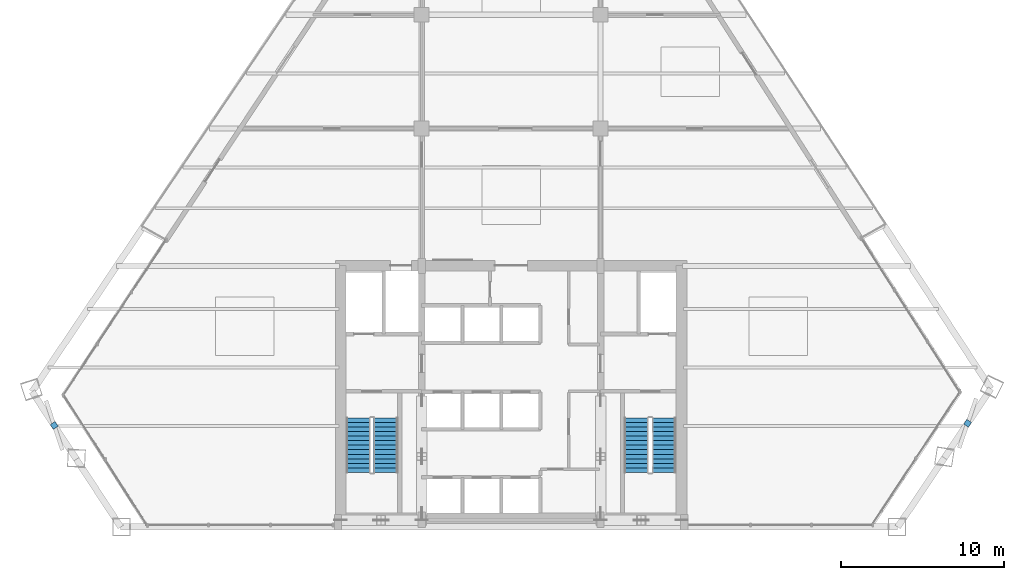
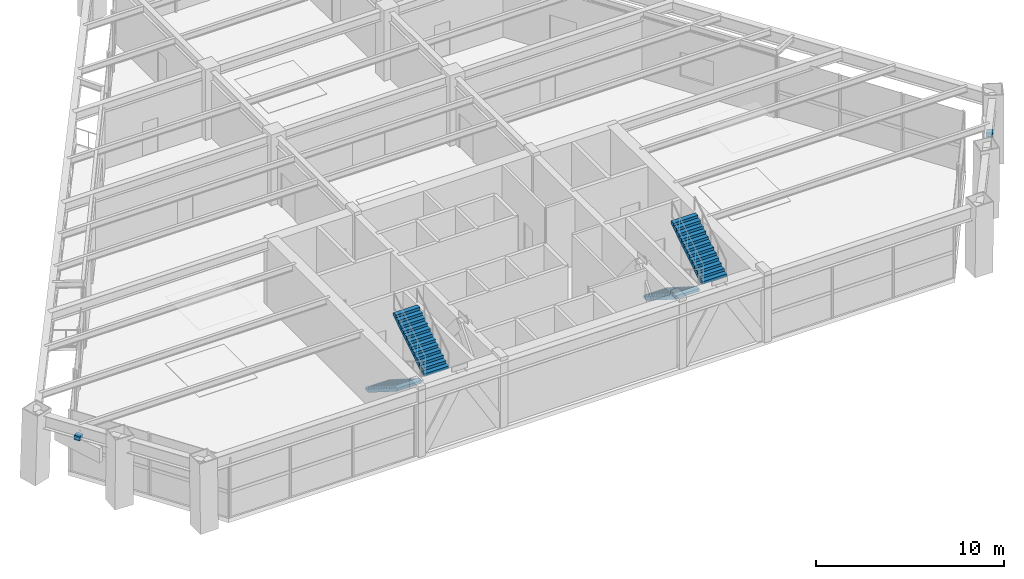
# One storey, part 10 of 12: 4 stair flights, 2 discrete accessories, 2 elements without a shape of their own.
"""IFC4 building model written with IfcOpenShell, lengths in metres."""

from ifc_helpers import new_model, si_unit, direction, frame, origin, origin_2d, place, context, subcontext, project, spatial, polyline, rectangle, outline, extrude, source, transform, mapped, material, type_object, type_shapes, element, aggregate, save


model = new_model("IFC4")

# Units and contexts
model_context = context("Model", 3, precision=1e-05, world=origin(), true_north=direction((0.0, 1.0)))
body_context = subcontext(model_context, "Body", "Model", "MODEL_VIEW")
ifc_project = project(units=[si_unit("LENGTHUNIT", "METRE"), si_unit("AREAUNIT", "SQUARE_METRE"), si_unit("VOLUMEUNIT", "CUBIC_METRE"), si_unit("PLANEANGLEUNIT", "RADIAN"), si_unit("MASSUNIT", "GRAM", prefix="KILO")], contexts=[model_context])

# Site, building, storey
site_placement = place(None, origin())
site = spatial("IfcSite", under=ifc_project, at=site_placement, CompositionType="ELEMENT")
building_placement = place(site_placement, origin())
building = spatial("IfcBuilding", under=site, at=building_placement, Name="Varnakhor Terracotta Tower", CompositionType="ELEMENT")
storey_placement = place(building_placement, frame((0.0, 0.0, 121.0)))
storey = spatial("IfcBuildingStorey", under=building, at=storey_placement, Name="L30", CompositionType="ELEMENT", Elevation=121.0)

# Stair, stair flights
ifc_material_1 = material(Name="Concrete C40/50", Category="concrete")
stair_type = type_object("IfcStairType", Name="STR-CORE-OFFICE-1500", PredefinedType="HALF_TURN_STAIR", material=ifc_material_1)
stair_1_placement = place(storey_placement, origin())
stair_1 = element("IfcStair", 1, at=stair_1_placement, inside=storey, type_object=stair_type, Name="L30 Core Exit Stair ST-1", PredefinedType="HALF_TURN_STAIR")
stair_flight_type = type_object("IfcStairFlightType", Name="FLT-CORE-1500", PredefinedType="STRAIGHT", material=ifc_material_1)
stair_flight_1_placement = place(storey_placement, frame((-9.39990234375, 6.7099609375, 0.0), z_axis=(0.0, 0.0, 1.0), x_axis=(0.0, -1.0, 0.0)))
stair_flight_1 = element("IfcStairFlight", 2, at=stair_flight_1_placement, type_object=stair_flight_type, Name="ST-1 flight 1", NumberOfRisers=13, NumberOfTreads=12, PredefinedType="STRAIGHT", RiserHeight=0.176923077, TreadLength=0.28, context=body_context, shape_type="SweptSolid", body=[
    extrude(outline(polyline([(0.0, 0.0), (0.0, 0.177001953125), (0.280029296875, 0.177001953125), (0.280029296875, 0.353759765625), (0.56005859375, 0.353759765625), (0.56005859375, 0.53076171875), (0.840087890625, 0.53076171875), (0.840087890625, 0.707763671875), (1.1201171875, 0.707763671875), (1.1201171875, 0.884521484375), (1.39990234375, 0.884521484375), (1.39990234375, 1.0615234375), (1.679931640625, 1.0615234375), (1.679931640625, 1.238525390625), (1.9599609375, 1.238525390625), (1.9599609375, 1.415283203125), (2.239990234375, 1.415283203125), (2.239990234375, 1.59228515625), (2.52001953125, 1.59228515625), (2.52001953125, 1.769287109375), (2.800048828125, 1.769287109375), (2.800048828125, 1.946044921875), (3.080078125, 1.946044921875), (3.080078125, 2.123046875), (3.360107421875, 2.123046875), (3.360107421875, 2.300048828125), (3.360107421875, 1.933837890625), (0.29931640625, 0.0), (0.0, 0.0)])), frame((0.0, 0.75, 0.0), z_axis=(0.0, -1.0, 0.0), x_axis=(1.0, 0.0, 0.0)), (0.0, 0.0, 1.0), 1.5),
])
stair_flight_2_placement = place(storey_placement, frame((-7.699951171875, 3.35009765625, 2.300048828125), z_axis=(0.0, 0.0, 1.0), x_axis=(0.0, 1.0, 0.0)))
stair_flight_2 = element("IfcStairFlight", 3, at=stair_flight_2_placement, type_object=stair_flight_type, Name="ST-1 flight 2", NumberOfRisers=13, NumberOfTreads=12, PredefinedType="STRAIGHT", RiserHeight=0.176923077, TreadLength=0.28, context=body_context, shape_type="SweptSolid", body=[
    extrude(outline(polyline([(0.0, 0.0), (0.0, 0.177001953125), (0.280029296875, 0.177001953125), (0.280029296875, 0.353759765625), (0.56005859375, 0.353759765625), (0.56005859375, 0.53076171875), (0.840087890625, 0.53076171875), (0.840087890625, 0.707763671875), (1.1201171875, 0.707763671875), (1.1201171875, 0.884521484375), (1.39990234375, 0.884521484375), (1.39990234375, 1.0615234375), (1.679931640625, 1.0615234375), (1.679931640625, 1.238525390625), (1.9599609375, 1.238525390625), (1.9599609375, 1.415283203125), (2.239990234375, 1.415283203125), (2.239990234375, 1.59228515625), (2.52001953125, 1.59228515625), (2.52001953125, 1.769287109375), (2.800048828125, 1.769287109375), (2.800048828125, 1.946044921875), (3.080078125, 1.946044921875), (3.080078125, 2.123046875), (3.360107421875, 2.123046875), (3.360107421875, 2.300048828125), (3.360107421875, 1.933837890625), (0.29931640625, 0.0), (0.0, 0.0)])), frame((0.0, 0.75, 0.0), z_axis=(0.0, -1.0, 0.0), x_axis=(1.0, 0.0, 0.0)), (0.0, 0.0, 1.0), 1.5),
])
aggregate(stair_1, [stair_flight_1, stair_flight_2])

stair_2_placement = place(storey_placement, origin())
stair_2 = element("IfcStair", 4, at=stair_2_placement, inside=storey, type_object=stair_type, Name="L30 Core Exit Stair ST-2", PredefinedType="HALF_TURN_STAIR")
stair_flight_3_placement = place(storey_placement, frame((7.699951171875, 6.7099609375, 0.0), z_axis=(0.0, 0.0, 1.0), x_axis=(0.0, -1.0, 0.0)))
stair_flight_3 = element("IfcStairFlight", 5, at=stair_flight_3_placement, type_object=stair_flight_type, Name="ST-2 flight 1", NumberOfRisers=13, NumberOfTreads=12, PredefinedType="STRAIGHT", RiserHeight=0.176923077, TreadLength=0.28, context=body_context, shape_type="SweptSolid", body=[
    extrude(outline(polyline([(0.0, 0.0), (0.0, 0.177001953125), (0.280029296875, 0.177001953125), (0.280029296875, 0.353759765625), (0.56005859375, 0.353759765625), (0.56005859375, 0.53076171875), (0.840087890625, 0.53076171875), (0.840087890625, 0.707763671875), (1.1201171875, 0.707763671875), (1.1201171875, 0.884521484375), (1.39990234375, 0.884521484375), (1.39990234375, 1.0615234375), (1.679931640625, 1.0615234375), (1.679931640625, 1.238525390625), (1.9599609375, 1.238525390625), (1.9599609375, 1.415283203125), (2.239990234375, 1.415283203125), (2.239990234375, 1.59228515625), (2.52001953125, 1.59228515625), (2.52001953125, 1.769287109375), (2.800048828125, 1.769287109375), (2.800048828125, 1.946044921875), (3.080078125, 1.946044921875), (3.080078125, 2.123046875), (3.360107421875, 2.123046875), (3.360107421875, 2.300048828125), (3.360107421875, 1.933837890625), (0.29931640625, 0.0), (0.0, 0.0)])), frame((0.0, 0.75, 0.0), z_axis=(0.0, -1.0, 0.0), x_axis=(1.0, 0.0, 0.0)), (0.0, 0.0, 1.0), 1.5),
])
stair_flight_4_placement = place(storey_placement, frame((9.39990234375, 3.35009765625, 2.300048828125), z_axis=(0.0, 0.0, 1.0), x_axis=(0.0, 1.0, 0.0)))
stair_flight_4 = element("IfcStairFlight", 6, at=stair_flight_4_placement, type_object=stair_flight_type, Name="ST-2 flight 2", NumberOfRisers=13, NumberOfTreads=12, PredefinedType="STRAIGHT", RiserHeight=0.176923077, TreadLength=0.28, context=body_context, shape_type="SweptSolid", body=[
    extrude(outline(polyline([(0.0, 0.0), (0.0, 0.177001953125), (0.280029296875, 0.177001953125), (0.280029296875, 0.353759765625), (0.56005859375, 0.353759765625), (0.56005859375, 0.53076171875), (0.840087890625, 0.53076171875), (0.840087890625, 0.707763671875), (1.1201171875, 0.707763671875), (1.1201171875, 0.884521484375), (1.39990234375, 0.884521484375), (1.39990234375, 1.0615234375), (1.679931640625, 1.0615234375), (1.679931640625, 1.238525390625), (1.9599609375, 1.238525390625), (1.9599609375, 1.415283203125), (2.239990234375, 1.415283203125), (2.239990234375, 1.59228515625), (2.52001953125, 1.59228515625), (2.52001953125, 1.769287109375), (2.800048828125, 1.769287109375), (2.800048828125, 1.946044921875), (3.080078125, 1.946044921875), (3.080078125, 2.123046875), (3.360107421875, 2.123046875), (3.360107421875, 2.300048828125), (3.360107421875, 1.933837890625), (0.29931640625, 0.0), (0.0, 0.0)])), frame((0.0, 0.75, 0.0), z_axis=(0.0, -1.0, 0.0), x_axis=(1.0, 0.0, 0.0)), (0.0, 0.0, 1.0), 1.5),
])
aggregate(stair_2, [stair_flight_3, stair_flight_4])

# Discrete accessories
ifc_material_2 = material(Name="Stainless Steel Fixing Bracket", Category="steel")
discrete_accessory_type = type_object("IfcDiscreteAccessoryType", Name="BRACKET-TERRACOTTA-SCREEN", PredefinedType="BRACKET", material=ifc_material_2)
shared_shape = source(origin(), body_context, "Body", "SweptSolid", [
    extrude(rectangle(XDim=0.35009765625, YDim=0.35009765625, at=origin_2d()), origin(), (0.0, 0.0, 1.0), 0.280029296875),
])
type_shapes(discrete_accessory_type, [shared_shape])
for number, where, z_axis, x_axis, name in (
    (7, (28.07177734375, 6.376220703125, 3.384765625), (0.0, 0.0, 1.0), (0.558917953459, 0.829222962357, 0.0), "L30 E Screen Fixing Bracket"),
    (8, (-28.099609375, 6.24267578125, 3.384765625), (0.0, 0.0, 1.0), (0.547899078089, -0.83654444008, 0.0), "L30 W Screen Fixing Bracket"),
):
    element("IfcDiscreteAccessory", number, at=place(storey_placement, frame(where, z_axis=z_axis, x_axis=x_axis)), inside=storey, type_object=discrete_accessory_type, Name=name, PredefinedType="BRACKET", context=body_context, shape_type="MappedRepresentation", body=[
        mapped(shared_shape, transform((0.0, 0.0, 0.0), scale=1.0)),
    ])

save(model, "model.ifc")
